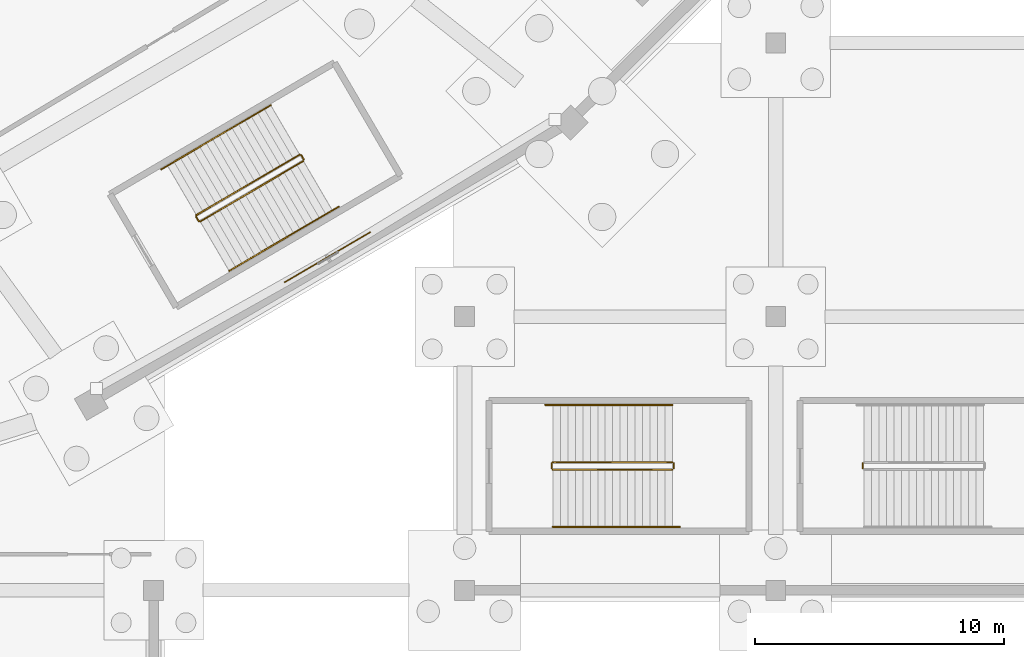
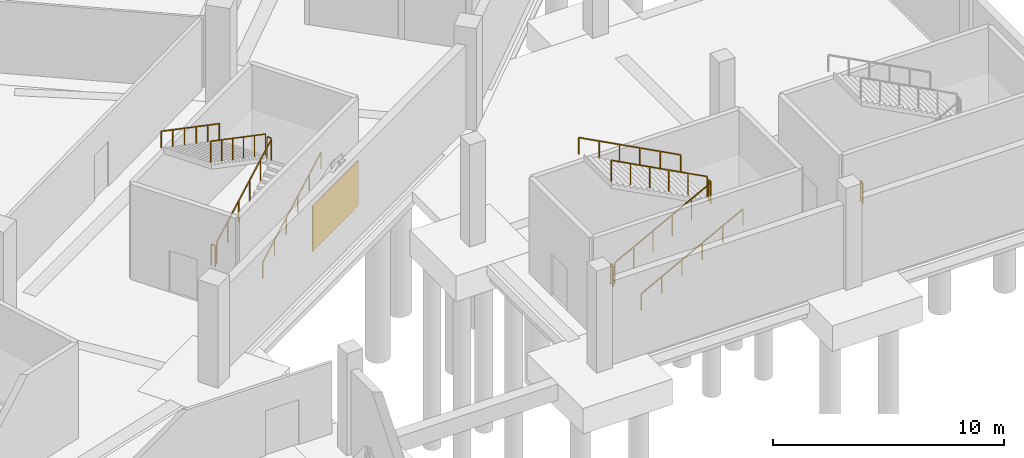
# One storey, part 62 of 74: 13 railings, 1 covering.
"""IFC4 building model written with IfcOpenShell, lengths in metres."""

import ifcopenshell
import ifcopenshell.guid

model = None  # the IFC model being written
_history = None  # IfcOwnerHistory: only IFC2X3 demands one
_inside = {}  # id of a spatial element -> (the spatial element, [elements in it])
_under = {}  # id of a project, library or spatial element -> (it, [spatial elements below it])
_declared = {}  # id of a project -> (the project, [libraries it declares])
_typed = {}  # id of a type object -> (the type object, [elements of that type])
_made_of = {}  # id of a material, layer set ... -> (it, [elements and type objects made of it])


def new_model(schema):
    """Start an empty IFC model of exactly this schema.

    Asked for "IFC4X3", IfcOpenShell would pick the latest addendum, in which some entities
    have other attributes; the version numbers below select the first issue.
    IFC2X3 requires an IfcOwnerHistory on every rooted entity: one is made here for all.
    """
    global model, _history
    if schema == "IFC4X3":
        model = ifcopenshell.file(schema_version=(4, 3, 0, 0))
    else:
        model = ifcopenshell.file(schema=schema)
    _inside.clear()
    _under.clear()
    _declared.clear()
    _typed.clear()
    _made_of.clear()
    _history = None
    if model.schema == "IFC2X3":
        org = make("IfcOrganization", Name="unknown")
        user = make(
            "IfcPersonAndOrganization",
            ThePerson=make("IfcPerson", FamilyName="unknown"),
            TheOrganization=org,
        )
        app = make(
            "IfcApplication",
            ApplicationDeveloper=org,
            Version="unknown",
            ApplicationFullName="unknown",
            ApplicationIdentifier="unknown",
        )
        _history = make(
            "IfcOwnerHistory",
            OwningUser=user,
            OwningApplication=app,
            ChangeAction="ADDED",
            CreationDate=0,
        )
    return model


def make(cls, **values):
    """One entity of the class cls with the attributes given. An attribute that is None is left unset."""
    return model.create_entity(
        cls, **{name: value for name, value in values.items() if value is not None}
    )


def rooted(cls, **values):
    """An entity with a GlobalId (a new one), such as an element, a storey or a relation."""
    return make(cls, GlobalId=ifcopenshell.guid.new(), OwnerHistory=_history, **values)


def si_unit(unit_type, name, prefix=None):
    """IfcSIUnit, for example si_unit("LENGTHUNIT", "METRE", prefix="MILLI")."""
    return make("IfcSIUnit", UnitType=unit_type, Prefix=prefix, Name=name)


def assignment(units):
    """IfcUnitAssignment: the units of a project."""
    return None if units is None else make("IfcUnitAssignment", Units=units)


def point(xyz):
    """IfcCartesianPoint."""
    return None if xyz is None else make("IfcCartesianPoint", Coordinates=xyz)


def direction(xyz):
    """IfcDirection."""
    return None if xyz is None else make("IfcDirection", DirectionRatios=xyz)


def frame(location, z_axis=None, x_axis=None):
    """IfcAxis2Placement3D, a coordinate frame: its origin and axes. An axis left out is left unset."""
    return make(
        "IfcAxis2Placement3D",
        Location=point(location),
        Axis=direction(z_axis),
        RefDirection=direction(x_axis),
    )


def frame_2d(location, x_axis=None):
    """IfcAxis2Placement2D, a coordinate frame in the plane: its origin and x axis."""
    return make(
        "IfcAxis2Placement2D", Location=point(location), RefDirection=direction(x_axis)
    )


def origin():
    """The frame at (0, 0, 0) with its axes left unset."""
    return frame((0.0, 0.0, 0.0))


def origin_2d():
    """The frame at (0, 0) in the plane with its x axis left unset."""
    return frame_2d((0.0, 0.0))


def place(relative_to, where):
    """IfcLocalPlacement: puts the frame where relative to a parent placement (None: the world)."""
    return make(
        "IfcLocalPlacement", PlacementRelTo=relative_to, RelativePlacement=where
    )


def context(
    kind, dimensions, precision=None, world=None, true_north=None, identifier=None
):
    """IfcGeometricRepresentationContext, for example the 3D "Model" context."""
    return make(
        "IfcGeometricRepresentationContext",
        ContextIdentifier=identifier,
        ContextType=kind,
        CoordinateSpaceDimension=dimensions,
        Precision=precision,
        WorldCoordinateSystem=world,
        TrueNorth=true_north,
    )


def subcontext(parent, identifier, kind, view, scale=None):
    """IfcGeometricRepresentationSubContext, for example "Body" below "Model"."""
    return make(
        "IfcGeometricRepresentationSubContext",
        ContextIdentifier=identifier,
        ContextType=kind,
        ParentContext=parent,
        TargetScale=scale,
        TargetView=view,
    )


def project(units=None, contexts=None):
    """IfcProject with its units and contexts."""
    return rooted(
        "IfcProject",
        Name="project",
        RepresentationContexts=contexts,
        UnitsInContext=assignment(units),
    )


def spatial(cls, under=None, at=None, **own):
    """A site, building, storey or space (cls), placed at a placement, below another one or the project."""
    s = rooted(cls, ObjectPlacement=at, **own)
    if under is not None:
        _under.setdefault(under.id(), (under, []))[1].append(s)
    return s


def profile(cls, at=None, kind="AREA", **sizes):
    """A parametric profile (cls). Its sizes go by their IFC names, for example OverallWidth=200.0."""
    return make(cls, ProfileType=kind, Position=at, **sizes)


def rectangle(**sizes):
    """IfcRectangleProfileDef."""
    return profile("IfcRectangleProfileDef", **sizes)


def extrude(swept, where, along, depth):
    """IfcExtrudedAreaSolid: the profile swept, set in the frame where, extruded along a direction by depth."""
    return make(
        "IfcExtrudedAreaSolid",
        SweptArea=swept,
        Position=where,
        ExtrudedDirection=direction(along),
        Depth=depth,
    )


def shape(context_of_items, identifier, shape_type, items):
    """IfcShapeRepresentation: the items that make up one representation, for example the "Body"."""
    return make(
        "IfcShapeRepresentation",
        ContextOfItems=context_of_items,
        RepresentationIdentifier=identifier,
        RepresentationType=shape_type,
        Items=items,
    )


def material(Name=None, Category=None):
    """IfcMaterial."""
    return make("IfcMaterial", Name=Name, Category=Category)


def layer(
    of_material, thickness, ventilated=None, Name=None, Category=None, Priority=None
):
    """IfcMaterialLayer: one layer of a wall or slab, of a material (None: an air gap)."""
    return make(
        "IfcMaterialLayer",
        Material=of_material,
        LayerThickness=thickness,
        IsVentilated=ventilated,
        Name=Name,
        Category=Category,
        Priority=Priority,
    )


def layer_set(layers, Name=None):
    """IfcMaterialLayerSet."""
    return make("IfcMaterialLayerSet", MaterialLayers=layers, LayerSetName=Name)


def made_of(thing, what):
    """Note that an element or type object is made of a material, layer set ...; save() writes the relation."""
    if what is not None:
        _made_of.setdefault(what.id(), (what, []))[1].append(thing)
    return thing


def type_object(cls, material=None, **own):
    """A type object (cls), such as IfcWallType, which elements share."""
    return made_of(rooted(cls, **own), material)


def element(
    cls,
    number,
    at=None,
    inside=None,
    cuts=None,
    type_object=None,
    material=None,
    context=None,
    identifier="Body",
    shape_type=None,
    held_by="IfcProductDefinitionShape",
    body=None,
    shapes=None,
    **own,
):
    """One element of the class cls, such as IfcWall. Its Tag is "e" and its number.

    at: its placement. inside: the storey or other place that contains it. cuts: it is an
    opening in that element (IfcRelVoidsElement). A single representation is given by context,
    identifier, shape_type and body (its items); several are given by shapes. held_by: the class
    of the entity that holds the representations. save() writes the other relations.
    """
    e = rooted(cls, Tag="e%d" % number, ObjectPlacement=at, **own)
    if body is not None:
        shapes = [shape(context, identifier, shape_type, body)]
    if shapes is not None:
        e.Representation = make(held_by, Representations=shapes)
    if inside is not None:
        _inside.setdefault(inside.id(), (inside, []))[1].append(e)
    if cuts is not None:
        rooted(
            "IfcRelVoidsElement", RelatingBuildingElement=cuts, RelatedOpeningElement=e
        )
    if type_object is not None:
        _typed.setdefault(type_object.id(), (type_object, []))[1].append(e)
    return made_of(e, material)


def aggregate(whole, parts):
    """IfcRelAggregates: a whole, such as a stair, and the parts it consists of."""
    return rooted("IfcRelAggregates", RelatingObject=whole, RelatedObjects=parts)


def save(model, path):
    """Write the relations noted so far, then the file.

    IfcRelAggregates (storeys below a building ...), IfcRelContainedInSpatialStructure (elements
    in a storey), IfcRelDefinesByType, IfcRelAssociatesMaterial and IfcRelDeclares: one each for
    every whole, place, type object, material and project.
    """
    for whole, parts in _under.values():
        aggregate(whole, parts)
    for where, things in _inside.values():
        rooted(
            "IfcRelContainedInSpatialStructure",
            RelatedElements=things,
            RelatingStructure=where,
        )
    for kind, things in _typed.values():
        rooted("IfcRelDefinesByType", RelatedObjects=things, RelatingType=kind)
    for what, things in _made_of.values():
        rooted("IfcRelAssociatesMaterial", RelatedObjects=things, RelatingMaterial=what)
    for by, libraries in _declared.values():
        rooted("IfcRelDeclares", RelatingContext=by, RelatedDefinitions=libraries)
    model.write(path)


model = new_model("IFC4")

# Units and contexts
model_context = context("Model", 3, precision=1e-05, world=origin(), true_north=direction((0.0, 1.0)))
body_context = subcontext(model_context, "Body", "Model", "MODEL_VIEW")
ifc_project = project(units=[si_unit("LENGTHUNIT", "METRE"), si_unit("AREAUNIT", "SQUARE_METRE"), si_unit("VOLUMEUNIT", "CUBIC_METRE"), si_unit("PLANEANGLEUNIT", "RADIAN"), si_unit("MASSUNIT", "GRAM", prefix="KILO")], contexts=[model_context])

# Site, building, storey
site_placement = place(None, origin())
site = spatial("IfcSite", under=ifc_project, at=site_placement, CompositionType="ELEMENT")
building_placement = place(site_placement, origin())
building = spatial("IfcBuilding", under=site, at=building_placement, Name="Zlatoyarsky Gate Stadium", CompositionType="ELEMENT")
storey_placement = place(building_placement, frame((0.0, 0.0, -5.39990234375)))
storey = spatial("IfcBuildingStorey", under=building, at=storey_placement, Name="B1", CompositionType="ELEMENT", Elevation=-5.39990234375)

# Covering
ifc_material_1 = material(Name="Fire-retardant birch timber acoustic wall panel", Category="wood")
ifc_layer = layer(ifc_material_1, 0.034912109375)
ifc_layer_set = layer_set([ifc_layer], Name="Fire-retardant birch timber acoustic wall panel")
covering_type = type_object("IfcCoveringType", Name="FLUTED BIRCH ACOUSTIC WALL CLADDING 35", PredefinedType="CLADDING", material=ifc_layer_set)
covering_placement = place(storey_placement, frame((166.986572265625, 24.38720703125, 1.099853515625), z_axis=(0.0, 0.0, 1.0), x_axis=(0.862884547558, 0.505401085858, 0.0)))
element("IfcCovering", 1, at=covering_placement, inside=storey, type_object=covering_type, Name="B1 acoustic timber wall cladding 07", PredefinedType="CLADDING", context=body_context, shape_type="SweptSolid", body=[
    extrude(rectangle(XDim=4.0, YDim=0.034912109375, at=origin_2d()), origin(), (0.0, 0.0, 1.0), 2.39990234375),
])

# Railings
ifc_material_2 = material(Name="Powder-coated steel stair guardrail", Category="steel")
railing_type_1 = type_object("IfcRailingType", Name="PAINTED STEEL STAIR WELL GUARDRAIL 1150", PredefinedType="GUARDRAIL", material=ifc_material_2)
railing_1_placement = place(storey_placement, frame((161.8779296875, 25.8232421875, 0.15869140625)))
element("IfcRailing", 2, at=railing_1_placement, inside=storey, type_object=railing_type_1, Name="ST-11 B1 stair guard 1", PredefinedType="GUARDRAIL", context=body_context, shape_type="SweptSolid", body=[
    extrude(rectangle(XDim=0.048095703125, YDim=0.048095703125, at=origin_2d()), frame((0.0, 0.0, 1.1259765625), z_axis=(0.762561047884, 0.446730234253, 0.467902496311), x_axis=(-0.505476687537, 0.862840262364, 0.0)), (0.0, 0.0, 1.0), 5.43115234375),
    extrude(rectangle(XDim=0.0419921875, YDim=0.0419921875, at=origin_2d()), origin(), (0.0, 0.0, 1.0), 1.101806640625),
    extrude(rectangle(XDim=0.0419921875, YDim=0.0419921875, at=origin_2d()), frame((0.828369140625, 0.4853515625, 0.50830078125)), (0.0, 0.0, 1.0), 1.101806640625),
    extrude(rectangle(XDim=0.0419921875, YDim=0.0419921875, at=origin_2d()), frame((1.65673828125, 0.970458984375, 1.0166015625)), (0.0, 0.0, 1.0), 1.101806640625),
    extrude(rectangle(XDim=0.0419921875, YDim=0.0419921875, at=origin_2d()), frame((2.48486328125, 1.455810546875, 1.524658203125)), (0.0, 0.0, 1.0), 1.101806640625),
    extrude(rectangle(XDim=0.0419921875, YDim=0.0419921875, at=origin_2d()), frame((3.313232421875, 1.94091796875, 2.032958984375)), (0.0, 0.0, 1.0), 1.101806640625),
    extrude(rectangle(XDim=0.0419921875, YDim=0.0419921875, at=origin_2d()), frame((4.1416015625, 2.42626953125, 2.541259765625)), (0.0, 0.0, 1.0), 1.101806640625),
])
railing_2_placement = place(storey_placement, frame((166.037353515625, 28.31787109375, 2.699951171875)))
element("IfcRailing", 3, at=railing_2_placement, inside=storey, type_object=railing_type_1, Name="ST-11 B1 stair guard 2", PredefinedType="GUARDRAIL", context=body_context, shape_type="SweptSolid", body=[
    extrude(rectangle(XDim=0.048095703125, YDim=0.048095703125, at=origin_2d()), frame((0.0, 0.0, 1.1259765625), z_axis=(-0.505312229679, 0.862936585467, 0.0), x_axis=(-0.862936585467, -0.505312229679, 0.0)), (0.0, 0.0, 1.0), 0.199951171875),
    extrude(rectangle(XDim=0.0419921875, YDim=0.0419921875, at=origin_2d()), origin(), (0.0, 0.0, 1.0), 1.101806640625),
    extrude(rectangle(XDim=0.0419921875, YDim=0.0419921875, at=origin_2d()), frame((-0.10107421875, 0.172607421875, 0.0)), (0.0, 0.0, 1.0), 1.101806640625),
])
railing_3_placement = place(storey_placement, frame((165.867919921875, 28.50830078125, 2.858642578125)))
element("IfcRailing", 4, at=railing_3_placement, inside=storey, type_object=railing_type_1, Name="ST-11 B1 stair guard 3", PredefinedType="GUARDRAIL", context=body_context, shape_type="SweptSolid", body=[
    extrude(rectangle(XDim=0.048095703125, YDim=0.048095703125, at=origin_2d()), frame((0.0, 0.0, 1.1259765625), z_axis=(-0.762561047884, -0.446730234253, 0.467902496311), x_axis=(0.505476687537, -0.862840262364, 0.0)), (0.0, 0.0, 1.0), 5.43115234375),
    extrude(rectangle(XDim=0.0419921875, YDim=0.0419921875, at=origin_2d()), origin(), (0.0, 0.0, 1.0), 1.101806640625),
    extrude(rectangle(XDim=0.0419921875, YDim=0.0419921875, at=origin_2d()), frame((-0.828369140625, -0.4853515625, 0.50830078125)), (0.0, 0.0, 1.0), 1.101806640625),
    extrude(rectangle(XDim=0.0419921875, YDim=0.0419921875, at=origin_2d()), frame((-1.65673828125, -0.970458984375, 1.0166015625)), (0.0, 0.0, 1.0), 1.101806640625),
    extrude(rectangle(XDim=0.0419921875, YDim=0.0419921875, at=origin_2d()), frame((-2.48486328125, -1.455810546875, 1.524658203125)), (0.0, 0.0, 1.0), 1.101806640625),
    extrude(rectangle(XDim=0.0419921875, YDim=0.0419921875, at=origin_2d()), frame((-3.313232421875, -1.94091796875, 2.032958984375)), (0.0, 0.0, 1.0), 1.101806640625),
    extrude(rectangle(XDim=0.0419921875, YDim=0.0419921875, at=origin_2d()), frame((-4.1416015625, -2.42626953125, 2.541259765625)), (0.0, 0.0, 1.0), 1.101806640625),
])
railing_4_placement = place(storey_placement, frame((161.809326171875, 25.841064453125, 0.0)))
element("IfcRailing", 5, at=railing_4_placement, inside=storey, type_object=railing_type_1, Name="ST-11 B1 stair guard 4", PredefinedType="GUARDRAIL", context=body_context, shape_type="SweptSolid", body=[
    extrude(rectangle(XDim=0.048095703125, YDim=0.048095703125, at=origin_2d()), frame((0.0, 0.0, 1.1259765625), z_axis=(-0.505312229679, 0.862936585467, 0.0), x_axis=(-0.862936585467, -0.505312229679, 0.0)), (0.0, 0.0, 1.0), 0.199951171875),
    extrude(rectangle(XDim=0.0419921875, YDim=0.0419921875, at=origin_2d()), origin(), (0.0, 0.0, 1.0), 1.101806640625),
    extrude(rectangle(XDim=0.0419921875, YDim=0.0419921875, at=origin_2d()), frame((-0.10107421875, 0.172607421875, 0.0)), (0.0, 0.0, 1.0), 1.101806640625),
])
railing_5_placement = place(storey_placement, frame((176.050048828125, 15.85009765625, 0.15869140625)))
element("IfcRailing", 6, at=railing_5_placement, inside=storey, type_object=railing_type_1, Name="ST-23 B1 stair guard 1", PredefinedType="GUARDRAIL", context=body_context, shape_type="SweptSolid", body=[
    extrude(rectangle(XDim=0.048095703125, YDim=0.048095703125, at=origin_2d()), frame((0.0, 0.0, 1.1259765625), z_axis=(0.883783542688, 0.0, 0.467895981682), x_axis=(0.0, 1.0, 0.0)), (0.0, 0.0, 1.0), 5.43115234375),
    extrude(rectangle(XDim=0.0419921875, YDim=0.0419921875, at=origin_2d()), origin(), (0.0, 0.0, 1.0), 1.101806640625),
    extrude(rectangle(XDim=0.0419921875, YDim=0.0419921875, at=origin_2d()), frame((0.9599609375, 0.0, 0.50830078125)), (0.0, 0.0, 1.0), 1.101806640625),
    extrude(rectangle(XDim=0.0419921875, YDim=0.0419921875, at=origin_2d()), frame((1.919921875, 0.0, 1.0166015625)), (0.0, 0.0, 1.0), 1.101806640625),
    extrude(rectangle(XDim=0.0419921875, YDim=0.0419921875, at=origin_2d()), frame((2.880126953125, 0.0, 1.524658203125)), (0.0, 0.0, 1.0), 1.101806640625),
    extrude(rectangle(XDim=0.0419921875, YDim=0.0419921875, at=origin_2d()), frame((3.840087890625, 0.0, 2.032958984375)), (0.0, 0.0, 1.0), 1.101806640625),
    extrude(rectangle(XDim=0.0419921875, YDim=0.0419921875, at=origin_2d()), frame((4.800048828125, 0.0, 2.541259765625)), (0.0, 0.0, 1.0), 1.101806640625),
])
railing_6_placement = place(storey_placement, frame((180.89990234375, 15.89990234375, 2.699951171875)))
element("IfcRailing", 7, at=railing_6_placement, inside=storey, type_object=railing_type_1, Name="ST-23 B1 stair guard 2", PredefinedType="GUARDRAIL", context=body_context, shape_type="SweptSolid", body=[
    extrude(rectangle(XDim=0.048095703125, YDim=0.048095703125, at=origin_2d()), frame((0.0, 0.0, 1.1259765625), z_axis=(0.0, 1.0, 0.0), x_axis=(-1.0, 0.0, 0.0)), (0.0, 0.0, 1.0), 0.2001953125),
    extrude(rectangle(XDim=0.0419921875, YDim=0.0419921875, at=origin_2d()), origin(), (0.0, 0.0, 1.0), 1.101806640625),
    extrude(rectangle(XDim=0.0419921875, YDim=0.0419921875, at=origin_2d()), frame((0.0, 0.2001953125, 0.0)), (0.0, 0.0, 1.0), 1.101806640625),
])
railing_7_placement = place(storey_placement, frame((180.85009765625, 16.14990234375, 2.858642578125)))
element("IfcRailing", 8, at=railing_7_placement, inside=storey, type_object=railing_type_1, Name="ST-23 B1 stair guard 3", PredefinedType="GUARDRAIL", context=body_context, shape_type="SweptSolid", body=[
    extrude(rectangle(XDim=0.048095703125, YDim=0.048095703125, at=origin_2d()), frame((0.0, 0.0, 1.1259765625), z_axis=(-0.883783542688, 0.0, 0.467895981682), x_axis=(0.0, -1.0, 0.0)), (0.0, 0.0, 1.0), 5.43115234375),
    extrude(rectangle(XDim=0.0419921875, YDim=0.0419921875, at=origin_2d()), origin(), (0.0, 0.0, 1.0), 1.101806640625),
    extrude(rectangle(XDim=0.0419921875, YDim=0.0419921875, at=origin_2d()), frame((-0.9599609375, 0.0, 0.50830078125)), (0.0, 0.0, 1.0), 1.101806640625),
    extrude(rectangle(XDim=0.0419921875, YDim=0.0419921875, at=origin_2d()), frame((-1.919921875, 0.0, 1.0166015625)), (0.0, 0.0, 1.0), 1.101806640625),
    extrude(rectangle(XDim=0.0419921875, YDim=0.0419921875, at=origin_2d()), frame((-2.880126953125, 0.0, 1.524658203125)), (0.0, 0.0, 1.0), 1.101806640625),
    extrude(rectangle(XDim=0.0419921875, YDim=0.0419921875, at=origin_2d()), frame((-3.840087890625, 0.0, 2.032958984375)), (0.0, 0.0, 1.0), 1.101806640625),
    extrude(rectangle(XDim=0.0419921875, YDim=0.0419921875, at=origin_2d()), frame((-4.800048828125, 0.0, 2.541259765625)), (0.0, 0.0, 1.0), 1.101806640625),
])
for number, where, name in (
    (9, (176.0, 15.89990234375, 0.0), "ST-23 B1 stair guard 4"),
    (10, (188.5, 15.89990234375, 0.0), "ST-24 B1 stair guard 4"),
):
    element("IfcRailing", number, at=place(storey_placement, frame(where)), inside=storey, type_object=railing_type_1, Name=name, PredefinedType="GUARDRAIL", context=body_context, shape_type="SweptSolid", body=[
        extrude(rectangle(XDim=0.048095703125, YDim=0.048095703125, at=origin_2d()), frame((0.0, 0.0, 1.1259765625), z_axis=(0.0, 1.0, 0.0), x_axis=(-1.0, 0.0, 0.0)), (0.0, 0.0, 1.0), 0.2001953125),
        extrude(rectangle(XDim=0.0419921875, YDim=0.0419921875, at=origin_2d()), origin(), (0.0, 0.0, 1.0), 1.101806640625),
        extrude(rectangle(XDim=0.0419921875, YDim=0.0419921875, at=origin_2d()), frame((0.0, 0.2001953125, 0.0)), (0.0, 0.0, 1.0), 1.101806640625),
    ])
ifc_material_3 = material(Name="Brushed stainless steel 316 handrail", Category="steel")
railing_type_2 = type_object("IfcRailingType", Name="STAINLESS STEEL TUBULAR HANDRAIL 900", PredefinedType="HANDRAIL", material=ifc_material_3)
railing_8_placement = place(storey_placement, frame((163.040283203125, 23.838623046875, 0.162841796875)))
element("IfcRailing", 11, at=railing_8_placement, inside=storey, type_object=railing_type_2, Name="ST-11 B1 stair handrail 1", PredefinedType="HANDRAIL", context=body_context, shape_type="SweptSolid", body=[
    extrude(rectangle(XDim=0.048095703125, YDim=0.048095703125, at=origin_2d()), frame((0.0, 0.0, 0.8759765625), z_axis=(0.762584619125, 0.446720166066, 0.467873692255), x_axis=(-0.505456573929, 0.862852045181, 0.0)), (0.0, 0.0, 1.0), 5.770751953125),
    extrude(rectangle(XDim=0.0419921875, YDim=0.0419921875, at=origin_2d()), origin(), (0.0, 0.0, 1.0), 0.851806640625),
    extrude(rectangle(XDim=0.0419921875, YDim=0.0419921875, at=origin_2d()), frame((0.880126953125, 0.515625, 0.5400390625)), (0.0, 0.0, 1.0), 0.851806640625),
    extrude(rectangle(XDim=0.0419921875, YDim=0.0419921875, at=origin_2d()), frame((1.76025390625, 1.03125, 1.080078125)), (0.0, 0.0, 1.0), 0.851806640625),
    extrude(rectangle(XDim=0.0419921875, YDim=0.0419921875, at=origin_2d()), frame((2.640380859375, 1.546630859375, 1.619873046875)), (0.0, 0.0, 1.0), 0.851806640625),
    extrude(rectangle(XDim=0.0419921875, YDim=0.0419921875, at=origin_2d()), frame((3.5205078125, 2.062255859375, 2.159912109375)), (0.0, 0.0, 1.0), 0.851806640625),
    extrude(rectangle(XDim=0.0419921875, YDim=0.0419921875, at=origin_2d()), frame((4.400634765625, 2.577880859375, 2.699951171875)), (0.0, 0.0, 1.0), 0.851806640625),
])
railing_9_placement = place(storey_placement, frame((164.705322265625, 30.492919921875, 2.86279296875)))
element("IfcRailing", 12, at=railing_9_placement, inside=storey, type_object=railing_type_2, Name="ST-11 B1 stair handrail 2", PredefinedType="HANDRAIL", context=body_context, shape_type="SweptSolid", body=[
    extrude(rectangle(XDim=0.048095703125, YDim=0.048095703125, at=origin_2d()), frame((0.0, 0.0, 0.8759765625), z_axis=(-0.762584619125, -0.446720166066, 0.467873692255), x_axis=(0.505456573929, -0.862852045181, 0.0)), (0.0, 0.0, 1.0), 5.770751953125),
    extrude(rectangle(XDim=0.0419921875, YDim=0.0419921875, at=origin_2d()), origin(), (0.0, 0.0, 1.0), 0.851806640625),
    extrude(rectangle(XDim=0.0419921875, YDim=0.0419921875, at=origin_2d()), frame((-0.880126953125, -0.515625, 0.5400390625)), (0.0, 0.0, 1.0), 0.851806640625),
    extrude(rectangle(XDim=0.0419921875, YDim=0.0419921875, at=origin_2d()), frame((-1.76025390625, -1.03125, 1.080078125)), (0.0, 0.0, 1.0), 0.851806640625),
    extrude(rectangle(XDim=0.0419921875, YDim=0.0419921875, at=origin_2d()), frame((-2.640380859375, -1.546630859375, 1.619873046875)), (0.0, 0.0, 1.0), 0.851806640625),
    extrude(rectangle(XDim=0.0419921875, YDim=0.0419921875, at=origin_2d()), frame((-3.5205078125, -2.062255859375, 2.159912109375)), (0.0, 0.0, 1.0), 0.851806640625),
    extrude(rectangle(XDim=0.0419921875, YDim=0.0419921875, at=origin_2d()), frame((-4.400634765625, -2.577880859375, 2.699951171875)), (0.0, 0.0, 1.0), 0.851806640625),
])
railing_10_placement = place(storey_placement, frame((176.050048828125, 13.550048828125, 0.162841796875)))
element("IfcRailing", 13, at=railing_10_placement, inside=storey, type_object=railing_type_2, Name="ST-23 B1 stair handrail 1", PredefinedType="HANDRAIL", context=body_context, shape_type="SweptSolid", body=[
    extrude(rectangle(XDim=0.048095703125, YDim=0.048095703125, at=origin_2d()), frame((0.0, 0.0, 0.8759765625), z_axis=(0.883785858079, 0.0, 0.467891608238), x_axis=(0.0, 1.0, 0.0)), (0.0, 0.0, 1.0), 5.7705078125),
    extrude(rectangle(XDim=0.0419921875, YDim=0.0419921875, at=origin_2d()), origin(), (0.0, 0.0, 1.0), 0.851806640625),
    extrude(rectangle(XDim=0.0419921875, YDim=0.0419921875, at=origin_2d()), frame((1.02001953125, 0.0, 0.5400390625)), (0.0, 0.0, 1.0), 0.851806640625),
    extrude(rectangle(XDim=0.0419921875, YDim=0.0419921875, at=origin_2d()), frame((2.0400390625, 0.0, 1.080078125)), (0.0, 0.0, 1.0), 0.851806640625),
    extrude(rectangle(XDim=0.0419921875, YDim=0.0419921875, at=origin_2d()), frame((3.059814453125, 0.0, 1.619873046875)), (0.0, 0.0, 1.0), 0.851806640625),
    extrude(rectangle(XDim=0.0419921875, YDim=0.0419921875, at=origin_2d()), frame((4.079833984375, 0.0, 2.159912109375)), (0.0, 0.0, 1.0), 0.851806640625),
    extrude(rectangle(XDim=0.0419921875, YDim=0.0419921875, at=origin_2d()), frame((5.099853515625, 0.0, 2.699951171875)), (0.0, 0.0, 1.0), 0.851806640625),
])
railing_11_placement = place(storey_placement, frame((180.85009765625, 18.449951171875, 2.86279296875)))
element("IfcRailing", 14, at=railing_11_placement, inside=storey, type_object=railing_type_2, Name="ST-23 B1 stair handrail 2", PredefinedType="HANDRAIL", context=body_context, shape_type="SweptSolid", body=[
    extrude(rectangle(XDim=0.048095703125, YDim=0.048095703125, at=origin_2d()), frame((0.0, 0.0, 0.8759765625), z_axis=(-0.883795119882, 0.0, 0.467874113489), x_axis=(0.0, -1.0, 0.0)), (0.0, 0.0, 1.0), 5.770751953125),
    extrude(rectangle(XDim=0.0419921875, YDim=0.0419921875, at=origin_2d()), origin(), (0.0, 0.0, 1.0), 0.851806640625),
    extrude(rectangle(XDim=0.0419921875, YDim=0.0419921875, at=origin_2d()), frame((-1.02001953125, 0.0, 0.5400390625)), (0.0, 0.0, 1.0), 0.851806640625),
    extrude(rectangle(XDim=0.0419921875, YDim=0.0419921875, at=origin_2d()), frame((-2.0400390625, 0.0, 1.080078125)), (0.0, 0.0, 1.0), 0.851806640625),
    extrude(rectangle(XDim=0.0419921875, YDim=0.0419921875, at=origin_2d()), frame((-3.06005859375, 0.0, 1.619873046875)), (0.0, 0.0, 1.0), 0.851806640625),
    extrude(rectangle(XDim=0.0419921875, YDim=0.0419921875, at=origin_2d()), frame((-4.080078125, 0.0, 2.159912109375)), (0.0, 0.0, 1.0), 0.851806640625),
    extrude(rectangle(XDim=0.0419921875, YDim=0.0419921875, at=origin_2d()), frame((-5.10009765625, 0.0, 2.699951171875)), (0.0, 0.0, 1.0), 0.851806640625),
])

save(model, "model.ifc")
